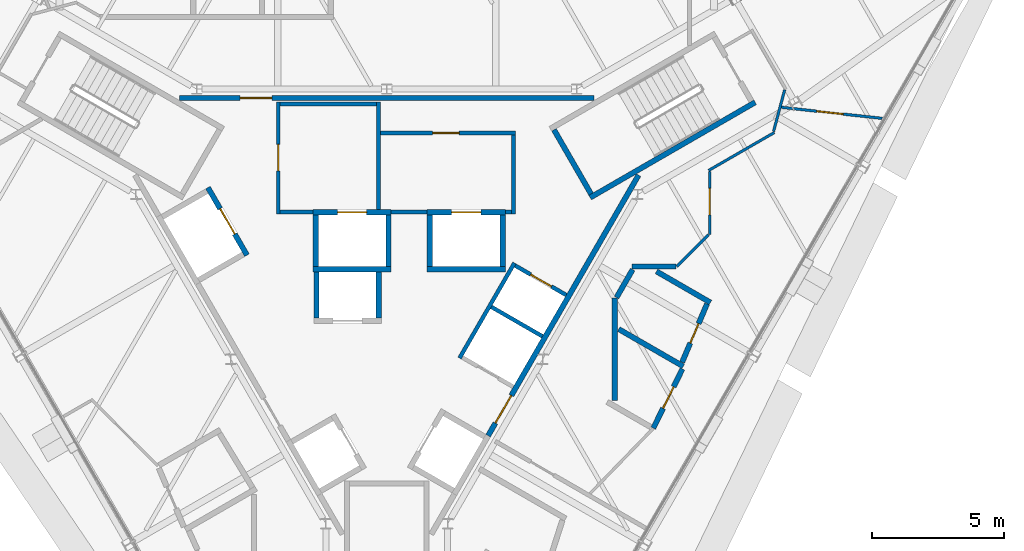
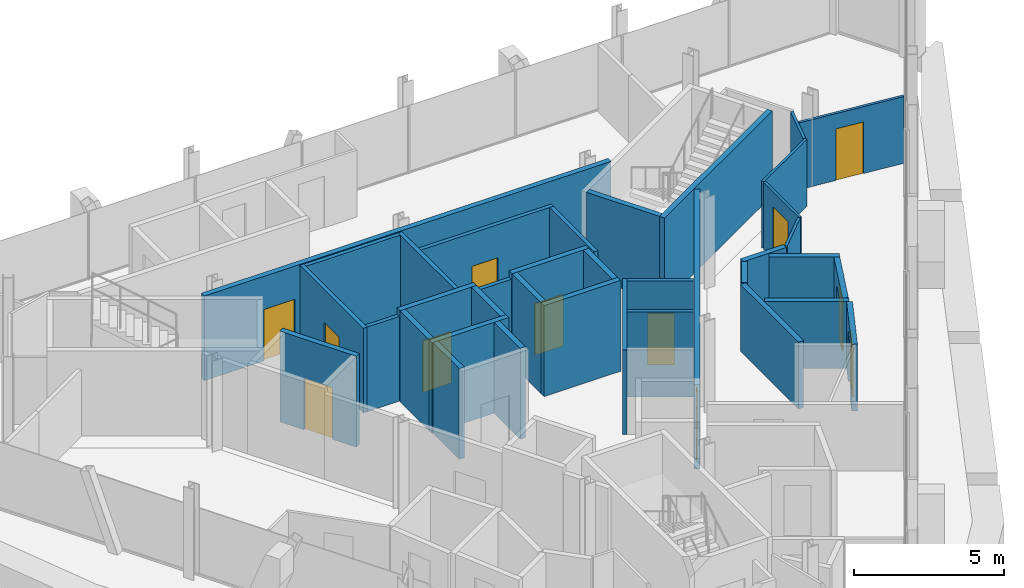
# One storey, part 9 of 12: 38 walls, 12 doors, 12 openings.
"""IFC4 building model written with IfcOpenShell, lengths in metres."""

from ifc_helpers import new_model, si_unit, direction, frame, frame_2d, origin, place, context, subcontext, project, spatial, rectangle, extrude, material, layer, layer_set, type_object, element, fill, save


model = new_model("IFC4")

# Units and contexts
model_context = context("Model", 3, precision=1e-05, world=origin(), true_north=direction((0.0, 1.0)))
body_context = subcontext(model_context, "Body", "Model", "MODEL_VIEW")
ifc_project = project(units=[si_unit("LENGTHUNIT", "METRE"), si_unit("AREAUNIT", "SQUARE_METRE"), si_unit("VOLUMEUNIT", "CUBIC_METRE"), si_unit("PLANEANGLEUNIT", "RADIAN"), si_unit("MASSUNIT", "GRAM", prefix="KILO")], contexts=[model_context])

# Site, building, storey
site_placement = place(None, origin())
site = spatial("IfcSite", under=ifc_project, at=site_placement, CompositionType="ELEMENT")
building_placement = place(site_placement, origin())
building = spatial("IfcBuilding", under=site, at=building_placement, Name="Verrane Prism Tower", CompositionType="ELEMENT")
storey_placement = place(building_placement, frame((0.0, 0.0, 271.39990234375)))
storey = spatial("IfcBuildingStorey", under=building, at=storey_placement, Name="L68", CompositionType="ELEMENT", Elevation=271.39990234375)

# Wall, opening, door
ifc_material_1 = material(Name="Gypsum board partition", Category="other")
ifc_layer_1 = layer(ifc_material_1, 0.199951171875)
ifc_layer_set_1 = layer_set([ifc_layer_1], Name="CW-200 core boundary wall 2 h")
wall_type_1 = type_object("IfcWallType", Name="CW-200 core boundary wall 2 h", PredefinedType="PARTITIONING", material=ifc_layer_set_1)
wall_1_placement = place(storey_placement, frame((7.8291015625, 6.4599609375, 0.0), z_axis=(0.0, 0.0, 1.0), x_axis=(-1.0, 0.0, 0.0)))
wall_1 = element("IfcWall", 1, at=wall_1_placement, inside=storey, type_object=wall_type_1, Name="Core boundary wall CW3-002", PredefinedType="PARTITIONING", context=body_context, shape_type="SweptSolid", body=[
    extrude(rectangle(XDim=15.658203125, YDim=0.199951171875, at=frame_2d((7.8291015625, 0.0))), origin(), (0.0, 0.0, 1.0), 3.4501953125),
])
opening_1_placement = place(wall_1_placement, frame((12.16796875, 0.0, 0.0)))
opening_1 = element("IfcOpeningElement", 2, at=opening_1_placement, cuts=wall_1, Name="Opening D66509", PredefinedType="OPENING", context=body_context, shape_type="SweptSolid", body=[
    extrude(rectangle(XDim=1.199951171875, YDim=2.10009765625, at=frame_2d((0.60009765625, 1.050048828125))), frame((0.0, 0.10986328125, 0.0), z_axis=(0.0, -1.0, 0.0), x_axis=(1.0, 0.0, 0.0)), (0.0, 0.0, 1.0), 0.219970703125),
])
ifc_material_2 = material(Name="Timber veneered door leaf", Category="wood")
door_type_1 = type_object("IfcDoorType", Name="DR-1200x2100 FD60 single leaf lift lobby", OperationType="NOTDEFINED", PredefinedType="DOOR", material=ifc_material_2)
door_1_placement = place(opening_1_placement, origin())
door_1 = element("IfcDoor", 3, at=door_1_placement, inside=storey, type_object=door_type_1, Name="Lift lobby door D66509", OperationType="SINGLE_SWING_RIGHT", OverallHeight=2.10009765625, OverallWidth=1.199951171875, PredefinedType="DOOR", context=body_context, shape_type="SweptSolid", body=[
    extrude(rectangle(XDim=1.199951171875, YDim=2.10009765625, at=frame_2d((0.60009765625, 1.050048828125))), frame((0.0, 0.02490234375, 0.0), z_axis=(0.0, -1.0, 0.0), x_axis=(1.0, 0.0, 0.0)), (0.0, 0.0, 1.0), 0.050048828125),
])
fill(opening_1, door_1)

wall_2_placement = place(storey_placement, frame((3.827880859375, -6.2900390625, 0.0), z_axis=(0.0, 0.0, 1.0), x_axis=(0.499979739078, 0.866037101117, 0.0)))
wall_2 = element("IfcWall", 4, at=wall_2_placement, inside=storey, type_object=wall_type_1, Name="Core boundary wall CW3-006", PredefinedType="PARTITIONING", context=body_context, shape_type="SweptSolid", body=[
    extrude(rectangle(XDim=11.36279296875, YDim=0.199951171875, at=frame_2d((5.681396484375, 0.0))), origin(), (0.0, 0.0, 1.0), 3.4501953125),
])
opening_2_placement = place(wall_2_placement, frame((0.550048828125, 0.0, 0.0)))
opening_2 = element("IfcOpeningElement", 5, at=opening_2_placement, cuts=wall_2, Name="Opening D66514", PredefinedType="OPENING", context=body_context, shape_type="SweptSolid", body=[
    extrude(rectangle(XDim=1.199951171875, YDim=2.10009765625, at=frame_2d((0.60009765625, 1.050048828125))), frame((0.0, 0.10986328125, 0.0), z_axis=(0.0, -1.0, 0.0), x_axis=(1.0, 0.0, 0.0)), (0.0, 0.0, 1.0), 0.219970703125),
])
door_2_placement = place(opening_2_placement, origin())
door_2 = element("IfcDoor", 6, at=door_2_placement, inside=storey, type_object=door_type_1, Name="Lift lobby door D66514", OperationType="SINGLE_SWING_RIGHT", OverallHeight=2.10009765625, OverallWidth=1.199951171875, PredefinedType="DOOR", context=body_context, shape_type="SweptSolid", body=[
    extrude(rectangle(XDim=1.199951171875, YDim=2.10009765625, at=frame_2d((0.60009765625, 1.050048828125))), frame((0.0, 0.02490234375, 0.0), z_axis=(0.0, -1.0, 0.0), x_axis=(1.0, 0.0, 0.0)), (0.0, 0.0, 1.0), 0.050048828125),
])
fill(opening_2, door_2)

# Walls
ifc_material_3 = material(Name="Concrete C40/50", Category="concrete")
ifc_layer_2 = layer(ifc_material_3, 0.199951171875)
ifc_layer_set_2 = layer_set([ifc_layer_2], Name="CW-200 stair core wall concrete C40/50 3 h")
wall_type_2 = type_object("IfcWallType", Name="CW-200 stair core wall concrete C40/50 3 h", PredefinedType="PARTITIONING", material=ifc_layer_set_2)
wall_3_placement = place(storey_placement, frame((7.67822265625, 2.700927734375, 0.0), z_axis=(0.0, 0.0, 1.0), x_axis=(0.866018442252, 0.500012057535, 0.0)))
element("IfcWall", 7, at=wall_3_placement, inside=storey, type_object=wall_type_2, Name="Stair 1 enclosure wall", PredefinedType="PARTITIONING", context=body_context, shape_type="SweptSolid", body=[
    extrude(rectangle(XDim=7.199951171875, YDim=0.199951171875, at=frame_2d((3.60009765625, 0.0))), origin(), (0.0, 0.0, 1.0), 3.4501953125),
])
wall_4_placement = place(storey_placement, frame((7.71484375, 2.837646484375, 0.0), z_axis=(0.0, 0.0, 1.0), x_axis=(-0.500049511043, 0.865996816683, 0.0)))
element("IfcWall", 8, at=wall_4_placement, inside=storey, type_object=wall_type_2, Name="Stair 1 enclosure wall", PredefinedType="PARTITIONING", context=body_context, shape_type="SweptSolid", body=[
    extrude(rectangle(XDim=2.800048828125, YDim=0.199951171875, at=frame_2d((1.39990234375, 0.0))), origin(), (0.0, 0.0, 1.0), 3.4501953125),
])
ifc_material_4 = material(Name="Gypsum board shaft wall assembly", Category="other")
ifc_layer_3 = layer(ifc_material_4, 0.199951171875)
ifc_layer_set_3 = layer_set([ifc_layer_3], Name="HW-200 lift shaft wall 2 h")
wall_type_3 = type_object("IfcWallType", Name="HW-200 lift shaft wall 2 h", PredefinedType="PARTITIONING", material=ifc_layer_set_3)
wall_5_placement = place(storey_placement, frame((-2.784912109375, 0.0, 0.0), z_axis=(0.0, 0.0, 1.0), x_axis=(1.0, 0.0, 0.0)))
element("IfcWall", 9, at=wall_5_placement, inside=storey, type_object=wall_type_3, Name="Lift shaft wall", PredefinedType="PARTITIONING", context=body_context, shape_type="SweptSolid", body=[
    extrude(rectangle(XDim=2.949951171875, YDim=0.199951171875, at=frame_2d((1.47509765625, 0.0))), origin(), (0.0, 0.0, 1.0), 3.7001953125),
])
wall_6_placement = place(storey_placement, frame((1.52490234375, 0.0, 0.0), z_axis=(0.0, 0.0, 1.0), x_axis=(1.0, 0.0, 0.0)))
element("IfcWall", 10, at=wall_6_placement, inside=storey, type_object=wall_type_3, Name="Lift shaft wall", PredefinedType="PARTITIONING", context=body_context, shape_type="SweptSolid", body=[
    extrude(rectangle(XDim=2.9501953125, YDim=0.199951171875, at=frame_2d((1.47509765625, 0.0))), origin(), (0.0, 0.0, 1.0), 3.7001953125),
])

# Wall, opening, door
wall_7_placement = place(storey_placement, frame((-2.784912109375, 2.14990234375, 0.0), z_axis=(0.0, 0.0, 1.0), x_axis=(1.0, 0.0, 0.0)))
wall_7 = element("IfcWall", 11, at=wall_7_placement, inside=storey, type_object=wall_type_3, Name="Lift shaft wall", PredefinedType="PARTITIONING", context=body_context, shape_type="SweptSolid", body=[
    extrude(rectangle(XDim=2.949951171875, YDim=0.199951171875, at=frame_2d((1.47509765625, 0.0))), origin(), (0.0, 0.0, 1.0), 3.7001953125),
])
opening_3_placement = place(wall_7_placement, frame((0.925048828125, 0.0, 0.0)))
opening_3 = element("IfcOpeningElement", 12, at=opening_3_placement, cuts=wall_7, Name="Opening D66506", PredefinedType="OPENING", context=body_context, shape_type="SweptSolid", body=[
    extrude(rectangle(XDim=1.10009765625, YDim=2.10009765625, at=frame_2d((0.550048828125, 1.050048828125))), frame((0.0, 0.10986328125, 0.0), z_axis=(0.0, -1.0, 0.0), x_axis=(1.0, 0.0, 0.0)), (0.0, 0.0, 1.0), 0.219970703125),
])
ifc_material_5 = material(Name="Stainless steel sliding landing door", Category="steel")
door_type_2 = type_object("IfcDoorType", Name="LD-1100x2100 lift landing door FD90 sliding", OperationType="NOTDEFINED", PredefinedType="DOOR", material=ifc_material_5)
door_3_placement = place(opening_3_placement, origin())
door_3 = element("IfcDoor", 13, at=door_3_placement, inside=storey, type_object=door_type_2, Name="Fire service lift 1 landing door", OperationType="SLIDING_TO_LEFT", OverallHeight=2.10009765625, OverallWidth=1.10009765625, PredefinedType="DOOR", context=body_context, shape_type="SweptSolid", body=[
    extrude(rectangle(XDim=1.10009765625, YDim=2.10009765625, at=frame_2d((0.550048828125, 1.050048828125))), frame((0.0, 0.02490234375, 0.0), z_axis=(0.0, -1.0, 0.0), x_axis=(1.0, 0.0, 0.0)), (0.0, 0.0, 1.0), 0.050048828125),
])
fill(opening_3, door_3)

wall_8_placement = place(storey_placement, frame((1.52490234375, 2.14990234375, 0.0), z_axis=(0.0, 0.0, 1.0), x_axis=(1.0, 0.0, 0.0)))
wall_8 = element("IfcWall", 14, at=wall_8_placement, inside=storey, type_object=wall_type_3, Name="Lift shaft wall", PredefinedType="PARTITIONING", context=body_context, shape_type="SweptSolid", body=[
    extrude(rectangle(XDim=2.9501953125, YDim=0.199951171875, at=frame_2d((1.47509765625, 0.0))), origin(), (0.0, 0.0, 1.0), 3.7001953125),
])
opening_4_placement = place(wall_8_placement, frame((0.925048828125, 0.0, 0.0)))
opening_4 = element("IfcOpeningElement", 15, at=opening_4_placement, cuts=wall_8, Name="Opening D66507", PredefinedType="OPENING", context=body_context, shape_type="SweptSolid", body=[
    extrude(rectangle(XDim=1.10009765625, YDim=2.10009765625, at=frame_2d((0.550048828125, 1.050048828125))), frame((0.0, 0.10986328125, 0.0), z_axis=(0.0, -1.0, 0.0), x_axis=(1.0, 0.0, 0.0)), (0.0, 0.0, 1.0), 0.219970703125),
])
door_4_placement = place(opening_4_placement, origin())
door_4 = element("IfcDoor", 16, at=door_4_placement, inside=storey, type_object=door_type_2, Name="Fire service lift 2 landing door", OperationType="SLIDING_TO_RIGHT", OverallHeight=2.10009765625, OverallWidth=1.10009765625, PredefinedType="DOOR", context=body_context, shape_type="SweptSolid", body=[
    extrude(rectangle(XDim=1.10009765625, YDim=2.10009765625, at=frame_2d((0.550048828125, 1.050048828125))), frame((0.0, 0.02490234375, 0.0), z_axis=(0.0, -1.0, 0.0), x_axis=(1.0, 0.0, 0.0)), (0.0, 0.0, 1.0), 0.050048828125),
])
fill(opening_4, door_4)

# Walls
for number, where, z_axis, x_axis, name in (
    (17, (4.375, 0.10009765625, 0.0), (0.0, 0.0, 1.0), (0.0, 1.0, 0.0), "Lift shaft wall"),
    (18, (1.625, 0.10009765625, 0.0), (0.0, 0.0, 1.0), (0.0, 1.0, 0.0), "Lift shaft wall"),
    (19, (0.06494140625, 0.10009765625, 0.0), (0.0, 0.0, 1.0), (0.0, 1.0, 0.0), "Lift shaft wall"),
):
    element("IfcWall", number, at=place(storey_placement, frame(where, z_axis=z_axis, x_axis=x_axis)), inside=storey, type_object=wall_type_3, Name=name, PredefinedType="PARTITIONING", context=body_context, shape_type="SweptSolid", body=[
        extrude(rectangle(XDim=1.949951171875, YDim=0.199951171875, at=frame_2d((0.97509765625, 0.0))), origin(), (0.0, 0.0, 1.0), 3.7001953125),
    ])
for number, where, z_axis, x_axis, name in (
    (20, (-0.304931640625, -1.85009765625, 0.0), (0.0, 0.0, 1.0), (0.0, 1.0, 0.0), "Lift shaft wall"),
    (21, (-2.655029296875, -1.85009765625, 0.0), (0.0, 0.0, 1.0), (0.0, 1.0, 0.0), "Lift shaft wall"),
):
    element("IfcWall", number, at=place(storey_placement, frame(where, z_axis=z_axis, x_axis=x_axis)), inside=storey, type_object=wall_type_3, Name=name, PredefinedType="PARTITIONING", context=body_context, shape_type="SweptSolid", body=[
        extrude(rectangle(XDim=1.75, YDim=0.199951171875, at=frame_2d((0.875, 0.0))), origin(), (0.0, 0.0, 1.0), 3.7001953125),
    ])
wall_9_placement = place(storey_placement, frame((-2.68505859375, 0.10009765625, 0.0), z_axis=(0.0, 0.0, 1.0), x_axis=(0.0, 1.0, 0.0)))
element("IfcWall", 22, at=wall_9_placement, inside=storey, type_object=wall_type_3, Name="Lift shaft wall", PredefinedType="PARTITIONING", context=body_context, shape_type="SweptSolid", body=[
    extrude(rectangle(XDim=1.949951171875, YDim=0.199951171875, at=frame_2d((0.97509765625, 0.0))), origin(), (0.0, 0.0, 1.0), 3.7001953125),
])

# Wall, opening, door
wall_10_placement = place(storey_placement, frame((-5.280029296875, 0.525390625, 0.0), z_axis=(0.0, 0.0, 1.0), x_axis=(-0.500037662692, 0.866003658127, 0.0)))
wall_10 = element("IfcWall", 23, at=wall_10_placement, inside=storey, type_object=wall_type_3, Name="Lift shaft wall", PredefinedType="PARTITIONING", context=body_context, shape_type="SweptSolid", body=[
    extrude(rectangle(XDim=2.949951171875, YDim=0.199951171875, at=frame_2d((1.47509765625, 0.0))), origin(), (0.0, 0.0, 1.0), 3.7001953125),
])
opening_5_placement = place(wall_10_placement, frame((0.925048828125, 0.0, 0.0)))
opening_5 = element("IfcOpeningElement", 24, at=opening_5_placement, cuts=wall_10, Name="Opening D66508", PredefinedType="OPENING", context=body_context, shape_type="SweptSolid", body=[
    extrude(rectangle(XDim=1.10009765625, YDim=2.10009765625, at=frame_2d((0.550048828125, 1.050048828125))), frame((0.0, 0.10986328125, 0.0), z_axis=(0.0, -1.0, 0.0), x_axis=(1.0, 0.0, 0.0)), (0.0, 0.0, 1.0), 0.219970703125),
])
door_5_placement = place(opening_5_placement, origin())
door_5 = element("IfcDoor", 25, at=door_5_placement, inside=storey, type_object=door_type_2, Name="Service lift 1 landing door", OperationType="SLIDING_TO_LEFT", OverallHeight=2.10009765625, OverallWidth=1.10009765625, PredefinedType="DOOR", context=body_context, shape_type="SweptSolid", body=[
    extrude(rectangle(XDim=1.10009765625, YDim=2.10009765625, at=frame_2d((0.550048828125, 1.050048828125))), frame((0.0, 0.02490234375, 0.0), z_axis=(0.0, -1.0, 0.0), x_axis=(1.0, 0.0, 0.0)), (0.0, 0.0, 1.0), 0.050048828125),
])
fill(opening_5, door_5)

ifc_material_6 = material(Name="Gypsum board partition", Category="other")
ifc_layer_4 = layer(ifc_material_6, 0.14990234375)
ifc_layer_set_4 = layer_set([ifc_layer_4], Name="LF-150 firefighting lobby wall 1 h")
wall_type_4 = type_object("IfcWallType", Name="LF-150 firefighting lobby wall 1 h", PredefinedType="PARTITIONING", material=ifc_layer_set_4)
wall_11_placement = place(storey_placement, frame((-4.10009765625, 2.0849609375, 0.0), z_axis=(0.0, 0.0, 1.0), x_axis=(0.0, 1.0, 0.0)))
wall_11 = element("IfcWall", 26, at=wall_11_placement, inside=storey, type_object=wall_type_4, Name="Firefighting lobby wall LF1-001", PredefinedType="PARTITIONING", context=body_context, shape_type="SweptSolid", body=[
    extrude(rectangle(XDim=4.22998046875, YDim=0.14990234375, at=frame_2d((2.114990234375, 0.0))), origin(), (0.0, 0.0, 1.0), 3.4501953125),
])
opening_6_placement = place(wall_11_placement, frame((1.625, 0.0, 0.0)))
opening_6 = element("IfcOpeningElement", 27, at=opening_6_placement, cuts=wall_11, Name="Opening D66511", PredefinedType="OPENING", context=body_context, shape_type="SweptSolid", body=[
    extrude(rectangle(XDim=1.0, YDim=2.10009765625, at=frame_2d((0.5, 1.050048828125))), frame((0.0, 0.0849609375, 0.0), z_axis=(0.0, -1.0, 0.0), x_axis=(1.0, 0.0, 0.0)), (0.0, 0.0, 1.0), 0.169921875),
])
ifc_material_7 = material(Name="Timber veneered door leaf", Category="wood")
door_type_3 = type_object("IfcDoorType", Name="DR-1000x2100 FD60 single leaf firefighting lobby", OperationType="NOTDEFINED", PredefinedType="DOOR", material=ifc_material_7)
door_6_placement = place(opening_6_placement, origin())
door_6 = element("IfcDoor", 28, at=door_6_placement, inside=storey, type_object=door_type_3, Name="Firefighting lobby door D66511", OperationType="SINGLE_SWING_RIGHT", OverallHeight=2.10009765625, OverallWidth=1.0, PredefinedType="DOOR", context=body_context, shape_type="SweptSolid", body=[
    extrude(rectangle(XDim=1.0, YDim=2.10009765625, at=frame_2d((0.5, 1.050048828125))), frame((0.0, 0.02490234375, 0.0), z_axis=(0.0, -1.0, 0.0), x_axis=(1.0, 0.0, 0.0)), (0.0, 0.0, 1.0), 0.050048828125),
])
fill(opening_6, door_6)

# Walls
wall_12_placement = place(storey_placement, frame((-4.02490234375, 2.159912109375, 0.0), z_axis=(0.0, 0.0, 1.0), x_axis=(1.0, 0.0, 0.0)))
element("IfcWall", 29, at=wall_12_placement, inside=storey, type_object=wall_type_4, Name="Firefighting lobby wall LF1-002", PredefinedType="PARTITIONING", context=body_context, shape_type="SweptSolid", body=[
    extrude(rectangle(XDim=1.23779296875, YDim=0.14990234375, at=frame_2d((0.618896484375, 0.0))), origin(), (0.0, 0.0, 1.0), 3.4501953125),
])
wall_13_placement = place(storey_placement, frame((-4.02490234375, 6.239990234375, 0.0), z_axis=(0.0, 0.0, 1.0), x_axis=(1.0, 0.0, 0.0)))
element("IfcWall", 30, at=wall_13_placement, inside=storey, type_object=wall_type_4, Name="Firefighting lobby wall LF1-003", PredefinedType="PARTITIONING", context=body_context, shape_type="SweptSolid", body=[
    extrude(rectangle(XDim=3.6298828125, YDim=0.14990234375, at=frame_2d((1.81494140625, 0.0))), origin(), (0.0, 0.0, 1.0), 3.4501953125),
])
wall_14_placement = place(storey_placement, frame((-0.320068359375, 2.251953125, 0.0), z_axis=(0.0, 0.0, 1.0), x_axis=(0.0, 1.0, 0.0)))
element("IfcWall", 31, at=wall_14_placement, inside=storey, type_object=wall_type_4, Name="Firefighting lobby wall LF1-004", PredefinedType="PARTITIONING", context=body_context, shape_type="SweptSolid", body=[
    extrude(rectangle(XDim=4.06298828125, YDim=0.14990234375, at=frame_2d((2.031494140625, 0.0))), origin(), (0.0, 0.0, 1.0), 3.4501953125),
])

# Wall, opening, door
wall_15_placement = place(storey_placement, frame((-0.2451171875, 5.139892578125, 0.0), z_axis=(0.0, 0.0, 1.0), x_axis=(1.0, 0.0, 0.0)))
wall_15 = element("IfcWall", 32, at=wall_15_placement, inside=storey, type_object=wall_type_4, Name="Firefighting lobby wall LF1-005", PredefinedType="PARTITIONING", context=body_context, shape_type="SweptSolid", body=[
    extrude(rectangle(XDim=5.110107421875, YDim=0.14990234375, at=frame_2d((2.55517578125, 0.0))), origin(), (0.0, 0.0, 1.0), 3.4501953125),
])
opening_7_placement = place(wall_15_placement, frame((1.97509765625, 0.0, 0.0)))
opening_7 = element("IfcOpeningElement", 33, at=opening_7_placement, cuts=wall_15, Name="Opening D66512", PredefinedType="OPENING", context=body_context, shape_type="SweptSolid", body=[
    extrude(rectangle(XDim=1.0, YDim=2.10009765625, at=frame_2d((0.5, 1.050048828125))), frame((0.0, 0.0849609375, 0.0), z_axis=(0.0, -1.0, 0.0), x_axis=(1.0, 0.0, 0.0)), (0.0, 0.0, 1.0), 0.169921875),
])
door_7_placement = place(opening_7_placement, origin())
door_7 = element("IfcDoor", 34, at=door_7_placement, inside=storey, type_object=door_type_3, Name="Firefighting lobby door D66512", OperationType="SINGLE_SWING_LEFT", OverallHeight=2.10009765625, OverallWidth=1.0, PredefinedType="DOOR", context=body_context, shape_type="SweptSolid", body=[
    extrude(rectangle(XDim=1.0, YDim=2.10009765625, at=frame_2d((0.5, 1.050048828125))), frame((0.0, 0.02490234375, 0.0), z_axis=(0.0, -1.0, 0.0), x_axis=(1.0, 0.0, 0.0)), (0.0, 0.0, 1.0), 0.050048828125),
])
fill(opening_7, door_7)

# Walls
wall_16_placement = place(storey_placement, frame((0.1669921875, 2.159912109375, 0.0), z_axis=(0.0, 0.0, 1.0), x_axis=(1.0, 0.0, 0.0)))
element("IfcWall", 35, at=wall_16_placement, inside=storey, type_object=wall_type_4, Name="Firefighting lobby wall LF1-006", PredefinedType="PARTITIONING", context=body_context, shape_type="SweptSolid", body=[
    extrude(rectangle(XDim=1.35595703125, YDim=0.14990234375, at=frame_2d((0.677978515625, 0.0))), origin(), (0.0, 0.0, 1.0), 3.4501953125),
])
wall_17_placement = place(storey_placement, frame((4.47705078125, 2.159912109375, 0.0), z_axis=(0.0, 0.0, 1.0), x_axis=(1.0, 0.0, 0.0)))
element("IfcWall", 36, at=wall_17_placement, inside=storey, type_object=wall_type_4, Name="Firefighting lobby wall LF1-007", PredefinedType="PARTITIONING", context=body_context, shape_type="SweptSolid", body=[
    extrude(rectangle(XDim=0.238037109375, YDim=0.14990234375, at=frame_2d((0.119140625, 0.0))), origin(), (0.0, 0.0, 1.0), 3.4501953125),
])
wall_18_placement = place(storey_placement, frame((4.7900390625, 2.0849609375, 0.0), z_axis=(0.0, 0.0, 1.0), x_axis=(0.0, 1.0, 0.0)))
element("IfcWall", 37, at=wall_18_placement, inside=storey, type_object=wall_type_4, Name="Firefighting lobby wall LF1-008", PredefinedType="PARTITIONING", context=body_context, shape_type="SweptSolid", body=[
    extrude(rectangle(XDim=2.97998046875, YDim=0.14990234375, at=frame_2d((1.489990234375, 0.0))), origin(), (0.0, 0.0, 1.0), 3.4501953125),
])
ifc_material_8 = material(Name="Gypsum board partition", Category="other")
ifc_layer_5 = layer(ifc_material_8, 0.10009765625)
ifc_layer_set_5 = layer_set([ifc_layer_5], Name="PW-100 room partition")
wall_type_5 = type_object("IfcWallType", Name="PW-100 room partition", PredefinedType="PARTITIONING", material=ifc_layer_set_5)
wall_19_placement = place(storey_placement, frame((10.948974609375, 0.10107421875, 0.0), z_axis=(0.0, 0.0, 1.0), x_axis=(0.707106781187, 0.707106781187, 0.0)))
element("IfcWall", 38, at=wall_19_placement, inside=storey, type_object=wall_type_5, Name="Room partition 052", PredefinedType="PARTITIONING", context=body_context, shape_type="SweptSolid", body=[
    extrude(rectangle(XDim=1.69775390625, YDim=0.10009765625, at=frame_2d((0.848876953125, 0.0))), origin(), (0.0, 0.0, 1.0), 2.72314453125),
])

# Wall, opening, door
wall_20_placement = place(storey_placement, frame((12.198974609375, 3.681884765625, 0.0), z_axis=(0.0, 0.0, 1.0), x_axis=(0.0, -1.0, 0.0)))
wall_20 = element("IfcWall", 39, at=wall_20_placement, inside=storey, type_object=wall_type_5, Name="Room partition 056", PredefinedType="PARTITIONING", context=body_context, shape_type="SweptSolid", body=[
    extrude(rectangle(XDim=2.380859375, YDim=0.10009765625, at=frame_2d((1.1904296875, 0.0))), origin(), (0.0, 0.0, 1.0), 2.72314453125),
])
opening_8_placement = place(wall_20_placement, frame((0.631103515625, 0.0, 0.0)))
opening_8 = element("IfcOpeningElement", 40, at=opening_8_placement, cuts=wall_20, Name="Opening D66006", PredefinedType="OPENING", context=body_context, shape_type="SweptSolid", body=[
    extrude(rectangle(XDim=1.0, YDim=2.10009765625, at=frame_2d((0.5, 1.050048828125))), frame((0.0, 0.06005859375, 0.0), z_axis=(0.0, -1.0, 0.0), x_axis=(1.0, 0.0, 0.0)), (0.0, 0.0, 1.0), 0.1201171875),
])
ifc_material_9 = material(Name="Timber veneered door leaf", Category="wood")
door_type_4 = type_object("IfcDoorType", Name="DR-1000x2100 single leaf inner", OperationType="NOTDEFINED", PredefinedType="DOOR", material=ifc_material_9)
door_8_placement = place(opening_8_placement, origin())
door_8 = element("IfcDoor", 41, at=door_8_placement, inside=storey, type_object=door_type_4, Name="Entrance Foyer door", OperationType="SINGLE_SWING_LEFT", OverallHeight=2.10009765625, OverallWidth=1.0, PredefinedType="DOOR", context=body_context, shape_type="SweptSolid", body=[
    extrude(rectangle(XDim=1.0, YDim=2.10009765625, at=frame_2d((0.5, 1.050048828125))), frame((0.0, 0.02490234375, 0.0), z_axis=(0.0, -1.0, 0.0), x_axis=(1.0, 0.0, 0.0)), (0.0, 0.0, 1.0), 0.050048828125),
])
fill(opening_8, door_8)

# Walls
wall_21_placement = place(storey_placement, frame((12.15576171875, 3.72705078125, 0.0), z_axis=(0.0, 0.0, 1.0), x_axis=(0.866012137121, 0.500022977831, 0.0)))
element("IfcWall", 42, at=wall_21_placement, inside=storey, type_object=wall_type_5, Name="Room partition 057", PredefinedType="PARTITIONING", context=body_context, shape_type="SweptSolid", body=[
    extrude(rectangle(XDim=2.859619140625, YDim=0.10009765625, at=frame_2d((1.4296875, 0.0))), origin(), (0.0, 0.0, 1.0), 2.72314453125),
])
wall_22_placement = place(storey_placement, frame((14.607177734375, 5.19970703125, 0.0), z_axis=(0.0, 0.0, 1.0), x_axis=(0.258531076101, 0.966002941346, 0.0)))
element("IfcWall", 43, at=wall_22_placement, inside=storey, type_object=wall_type_5, Name="Room partition 060", PredefinedType="PARTITIONING", context=body_context, shape_type="SweptSolid", body=[
    extrude(rectangle(XDim=1.627197265625, YDim=0.10009765625, at=frame_2d((0.8134765625, 0.0))), origin(), (0.0, 0.0, 1.0), 2.72314453125),
])

# Wall, opening, door
wall_23_placement = place(storey_placement, frame((14.910888671875, 6.110595703125, 0.0), z_axis=(0.0, 0.0, 1.0), x_axis=(0.994040808037, -0.10900858662, 0.0)))
wall_23 = element("IfcWall", 44, at=wall_23_placement, inside=storey, type_object=wall_type_5, Name="Room partition 061", PredefinedType="PARTITIONING", context=body_context, shape_type="SweptSolid", body=[
    extrude(rectangle(XDim=3.822998046875, YDim=0.10009765625, at=frame_2d((1.91162109375, 0.0))), origin(), (0.0, 0.0, 1.0), 2.72314453125),
])
opening_9_placement = place(wall_23_placement, frame((1.341796875, 0.0, 0.0)))
opening_9 = element("IfcOpeningElement", 45, at=opening_9_placement, cuts=wall_23, Name="Opening D66008", PredefinedType="OPENING", context=body_context, shape_type="SweptSolid", body=[
    extrude(rectangle(XDim=1.0, YDim=2.10009765625, at=frame_2d((0.5, 1.050048828125))), frame((0.0, 0.06005859375, 0.0), z_axis=(0.0, -1.0, 0.0), x_axis=(1.0, 0.0, 0.0)), (0.0, 0.0, 1.0), 0.1201171875),
])
door_9_placement = place(opening_9_placement, origin())
door_9 = element("IfcDoor", 46, at=door_9_placement, inside=storey, type_object=door_type_4, Name="Living And Dining Room door", OperationType="SINGLE_SWING_RIGHT", OverallHeight=2.10009765625, OverallWidth=1.0, PredefinedType="DOOR", context=body_context, shape_type="SweptSolid", body=[
    extrude(rectangle(XDim=1.0, YDim=2.10009765625, at=frame_2d((0.5, 1.050048828125))), frame((0.0, 0.02490234375, 0.0), z_axis=(0.0, -1.0, 0.0), x_axis=(1.0, 0.0, 0.0)), (0.0, 0.0, 1.0), 0.050048828125),
])
fill(opening_9, door_9)

# Walls
ifc_material_10 = material(Name="Gypsum board partition", Category="other")
ifc_layer_6 = layer(ifc_material_10, 0.199951171875)
ifc_layer_set_6 = layer_set([ifc_layer_6], Name="PW-200 plumbing wall")
wall_type_6 = type_object("IfcWallType", Name="PW-200 plumbing wall", PredefinedType="PARTITIONING", material=ifc_layer_set_6)
wall_24_placement = place(storey_placement, frame((8.60888671875, -4.968994140625, 0.0), z_axis=(0.0, 0.0, 1.0), x_axis=(0.0, 1.0, 0.0)))
element("IfcWall", 47, at=wall_24_placement, inside=storey, type_object=wall_type_6, Name="Plumbing wall 046", PredefinedType="PARTITIONING", context=body_context, shape_type="SweptSolid", body=[
    extrude(rectangle(XDim=3.881103515625, YDim=0.199951171875, at=frame_2d((1.9404296875, 0.0))), origin(), (0.0, 0.0, 1.0), 2.72314453125),
])
wall_25_placement = place(storey_placement, frame((8.759033203125, -2.2646484375, 0.0), z_axis=(0.0, 0.0, 1.0), x_axis=(0.866098885879, -0.499872703674, 0.0)))
element("IfcWall", 48, at=wall_25_placement, inside=storey, type_object=wall_type_6, Name="Plumbing wall 047", PredefinedType="PARTITIONING", context=body_context, shape_type="SweptSolid", body=[
    extrude(rectangle(XDim=2.813232421875, YDim=0.199951171875, at=frame_2d((1.40673828125, 0.0))), origin(), (0.0, 0.0, 1.0), 2.72314453125),
])
wall_26_placement = place(storey_placement, frame((8.676513671875, -1.071044921875, 0.0), z_axis=(0.0, 0.0, 1.0), x_axis=(0.499803412959, 0.86613887362, 0.0)))
element("IfcWall", 49, at=wall_26_placement, inside=storey, type_object=wall_type_6, Name="Plumbing wall 048", PredefinedType="PARTITIONING", context=body_context, shape_type="SweptSolid", body=[
    extrude(rectangle(XDim=1.21826171875, YDim=0.199951171875, at=frame_2d((0.609130859375, 0.0))), origin(), (0.0, 0.0, 1.0), 2.72314453125),
])
wall_27_placement = place(storey_placement, frame((9.2529296875, 0.10107421875, 0.0), z_axis=(0.0, 0.0, 1.0), x_axis=(1.0, 0.0, 0.0)))
element("IfcWall", 50, at=wall_27_placement, inside=storey, type_object=wall_type_6, Name="Plumbing wall 049", PredefinedType="PARTITIONING", context=body_context, shape_type="SweptSolid", body=[
    extrude(rectangle(XDim=1.6611328125, YDim=0.199951171875, at=frame_2d((0.83056640625, 0.0))), origin(), (0.0, 0.0, 1.0), 2.72314453125),
])
wall_28_placement = place(storey_placement, frame((10.186279296875, -0.085693359375, 0.0), z_axis=(0.0, 0.0, 1.0), x_axis=(0.866024864377, -0.50000093428, 0.0)))
element("IfcWall", 51, at=wall_28_placement, inside=storey, type_object=wall_type_6, Name="Plumbing wall 050", PredefinedType="PARTITIONING", context=body_context, shape_type="SweptSolid", body=[
    extrude(rectangle(XDim=2.3525390625, YDim=0.199951171875, at=frame_2d((1.17626953125, 0.0))), origin(), (0.0, 0.0, 1.0), 2.72314453125),
])

# Wall, opening, door
wall_29_placement = place(storey_placement, frame((10.067626953125, -6.004638671875, 0.0), z_axis=(0.0, 0.0, 1.0), x_axis=(0.440614307878, 0.897696514248, 0.0)))
wall_29 = element("IfcWall", 52, at=wall_29_placement, inside=storey, type_object=wall_type_6, Name="Plumbing wall 051", PredefinedType="PARTITIONING", context=body_context, shape_type="SweptSolid", body=[
    extrude(rectangle(XDim=2.49072265625, YDim=0.199951171875, at=frame_2d((1.245361328125, 0.0))), origin(), (0.0, 0.0, 1.0), 2.72314453125),
])
opening_10_placement = place(wall_29_placement, frame((0.8349609375, 0.0, 0.0)))
opening_10 = element("IfcOpeningElement", 53, at=opening_10_placement, cuts=wall_29, Name="Opening D66007", PredefinedType="OPENING", context=body_context, shape_type="SweptSolid", body=[
    extrude(rectangle(XDim=0.89990234375, YDim=2.10009765625, at=frame_2d((0.449951171875, 1.050048828125))), frame((0.0, 0.10986328125, 0.0), z_axis=(0.0, -1.0, 0.0), x_axis=(1.0, 0.0, 0.0)), (0.0, 0.0, 1.0), 0.219970703125),
])
ifc_material_11 = material(Name="Timber veneered door leaf", Category="wood")
door_type_5 = type_object("IfcDoorType", Name="DR-900x2100 single leaf inner", OperationType="NOTDEFINED", PredefinedType="DOOR", material=ifc_material_11)
door_10_placement = place(opening_10_placement, origin())
door_10 = element("IfcDoor", 54, at=door_10_placement, inside=storey, type_object=door_type_5, Name="Kitchen door", OperationType="SINGLE_SWING_LEFT", OverallHeight=2.10009765625, OverallWidth=0.89990234375, PredefinedType="DOOR", context=body_context, shape_type="SweptSolid", body=[
    extrude(rectangle(XDim=0.89990234375, YDim=2.10009765625, at=frame_2d((0.449951171875, 1.050048828125))), frame((0.0, 0.02490234375, 0.0), z_axis=(0.0, -1.0, 0.0), x_axis=(1.0, 0.0, 0.0)), (0.0, 0.0, 1.0), 0.050048828125),
])
fill(opening_10, door_10)

wall_30_placement = place(storey_placement, frame((11.154052734375, -3.51513671875, 0.0), z_axis=(0.0, 0.0, 1.0), x_axis=(0.392515754301, 0.919745281383, 0.0)))
wall_30 = element("IfcWall", 55, at=wall_30_placement, inside=storey, type_object=wall_type_6, Name="Plumbing wall 053", PredefinedType="PARTITIONING", context=body_context, shape_type="SweptSolid", body=[
    extrude(rectangle(XDim=2.39404296875, YDim=0.199951171875, at=frame_2d((1.197021484375, 0.0))), origin(), (0.0, 0.0, 1.0), 2.72314453125),
])
opening_11_placement = place(wall_30_placement, frame((0.784912109375, 0.0, 0.0)))
opening_11 = element("IfcOpeningElement", 56, at=opening_11_placement, cuts=wall_30, Name="Opening D66009", PredefinedType="OPENING", context=body_context, shape_type="SweptSolid", body=[
    extrude(rectangle(XDim=0.800048828125, YDim=2.10009765625, at=frame_2d((0.39990234375, 1.050048828125))), frame((0.0, 0.10986328125, 0.0), z_axis=(0.0, -1.0, 0.0), x_axis=(1.0, 0.0, 0.0)), (0.0, 0.0, 1.0), 0.219970703125),
])
ifc_material_12 = material(Name="Timber veneered door leaf", Category="wood")
door_type_6 = type_object("IfcDoorType", Name="DR-800x2100 single leaf inner", OperationType="NOTDEFINED", PredefinedType="DOOR", material=ifc_material_12)
door_11_placement = place(opening_11_placement, origin())
door_11 = element("IfcDoor", 57, at=door_11_placement, inside=storey, type_object=door_type_6, Name="Bathroom door", OperationType="SINGLE_SWING_LEFT", OverallHeight=2.10009765625, OverallWidth=0.800048828125, PredefinedType="DOOR", context=body_context, shape_type="SweptSolid", body=[
    extrude(rectangle(XDim=0.800048828125, YDim=2.10009765625, at=frame_2d((0.39990234375, 1.050048828125))), frame((0.0, 0.02490234375, 0.0), z_axis=(0.0, -1.0, 0.0), x_axis=(1.0, 0.0, 0.0)), (0.0, 0.0, 1.0), 0.050048828125),
])
fill(opening_11, door_11)

# Walls
ifc_material_13 = material(Name="Gypsum board partition", Category="other")
ifc_layer_7 = layer(ifc_material_13, 0.14990234375)
ifc_layer_set_7 = layer_set([ifc_layer_7], Name="RS-150 riser enclosure wall 1 h")
wall_type_7 = type_object("IfcWallType", Name="RS-150 riser enclosure wall 1 h", PredefinedType="PARTITIONING", material=ifc_layer_set_7)
wall_31_placement = place(storey_placement, frame((2.74853515625, -3.35888671875, 0.0), z_axis=(0.0, 0.0, 1.0), x_axis=(0.500017827812, 0.866015110648, 0.0)))
element("IfcWall", 58, at=wall_31_placement, inside=storey, type_object=wall_type_7, Name="Riser wall RS3-001", PredefinedType="PARTITIONING", context=body_context, shape_type="SweptSolid", body=[
    extrude(rectangle(XDim=4.149658203125, YDim=0.14990234375, at=frame_2d((2.07470703125, 0.0))), origin(), (0.0, 0.0, 1.0), 3.4501953125),
])
wall_32_placement = place(storey_placement, frame((3.950927734375, -1.426513671875, 0.0), z_axis=(0.0, 0.0, 1.0), x_axis=(0.866062920605, -0.499935013329, 0.0)))
element("IfcWall", 59, at=wall_32_placement, inside=storey, type_object=wall_type_7, Name="Riser wall RS3-003", PredefinedType="PARTITIONING", context=body_context, shape_type="SweptSolid", body=[
    extrude(rectangle(XDim=2.220458984375, YDim=0.14990234375, at=frame_2d((1.1103515625, 0.0))), origin(), (0.0, 0.0, 1.0), 3.4501953125),
])

# Wall, opening, door
wall_33_placement = place(storey_placement, frame((6.774169921875, -0.9775390625, 0.0), z_axis=(0.0, 0.0, 1.0), x_axis=(-0.866062920605, 0.499935013329, 0.0)))
wall_33 = element("IfcWall", 60, at=wall_33_placement, inside=storey, type_object=wall_type_7, Name="Riser wall RS3-004", PredefinedType="PARTITIONING", context=body_context, shape_type="SweptSolid", body=[
    extrude(rectangle(XDim=2.220458984375, YDim=0.14990234375, at=frame_2d((1.1103515625, 0.0))), origin(), (0.0, 0.0, 1.0), 3.4501953125),
])
opening_12_placement = place(wall_33_placement, frame((0.6455078125, 0.0, 0.0)))
opening_12 = element("IfcOpeningElement", 61, at=opening_12_placement, cuts=wall_33, Name="Opening D66515", PredefinedType="OPENING", context=body_context, shape_type="SweptSolid", body=[
    extrude(rectangle(XDim=0.89990234375, YDim=2.10009765625, at=frame_2d((0.449951171875, 1.050048828125))), frame((0.0, 0.0849609375, 0.0), z_axis=(0.0, -1.0, 0.0), x_axis=(1.0, 0.0, 0.0)), (0.0, 0.0, 1.0), 0.169921875),
])
ifc_material_14 = material(Name="Timber veneered door leaf", Category="wood")
door_type_7 = type_object("IfcDoorType", Name="DR-900x2100 FD60 single leaf riser", OperationType="NOTDEFINED", PredefinedType="DOOR", material=ifc_material_14)
door_12_placement = place(opening_12_placement, origin())
door_12 = element("IfcDoor", 62, at=door_12_placement, inside=storey, type_object=door_type_7, Name="Riser door D66515", OperationType="SINGLE_SWING_RIGHT", OverallHeight=2.10009765625, OverallWidth=0.89990234375, PredefinedType="DOOR", context=body_context, shape_type="SweptSolid", body=[
    extrude(rectangle(XDim=0.89990234375, YDim=2.10009765625, at=frame_2d((0.449951171875, 1.050048828125))), frame((0.0, 0.02490234375, 0.0), z_axis=(0.0, -1.0, 0.0), x_axis=(1.0, 0.0, 0.0)), (0.0, 0.0, 1.0), 0.050048828125),
])
fill(opening_12, door_12)

save(model, "model.ifc")
